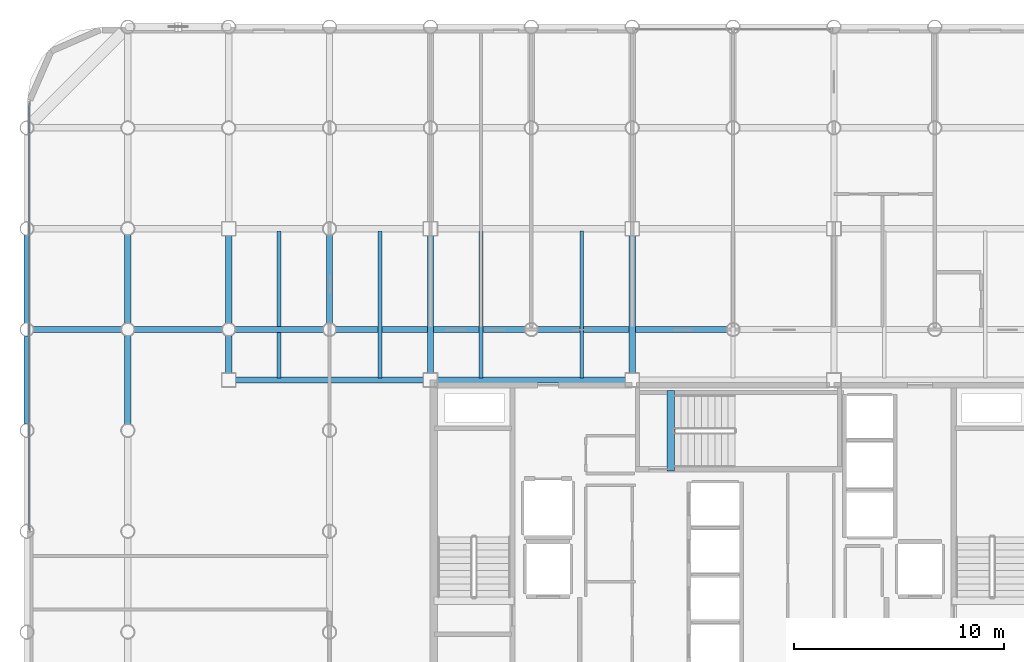
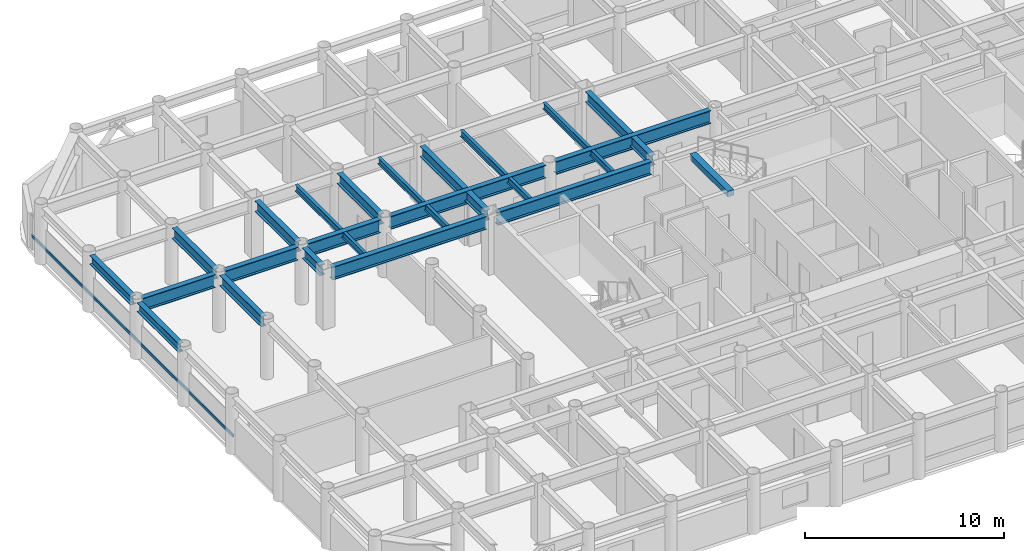
# One storey, part 5 of 20: 21 beams, 1 member, 1 element without a shape of its own.
"""IFC4 building model written with IfcOpenShell, lengths in metres."""

from ifc_helpers import new_model, si_unit, direction, frame, origin, origin_2d, place, context, subcontext, project, spatial, rectangle, hollow_rectangle, i_section, extrude, material, layer, layer_set, material_profile, profile_set, type_object, element, aggregate, save


model = new_model("IFC4")

# Units and contexts
model_context = context("Model", 3, precision=1e-05, world=origin(), true_north=direction((0.0, 1.0)))
body_context = subcontext(model_context, "Body", "Model", "MODEL_VIEW")
ifc_project = project(units=[si_unit("LENGTHUNIT", "METRE"), si_unit("AREAUNIT", "SQUARE_METRE"), si_unit("VOLUMEUNIT", "CUBIC_METRE"), si_unit("PLANEANGLEUNIT", "RADIAN"), si_unit("MASSUNIT", "GRAM", prefix="KILO")], contexts=[model_context])

# Site, building, storey
site_placement = place(None, origin())
site = spatial("IfcSite", under=ifc_project, at=site_placement, CompositionType="ELEMENT")
building_placement = place(site_placement, origin())
building = spatial("IfcBuilding", under=site, at=building_placement, Name="Kallvorn Hotel Tower", CompositionType="ELEMENT")
storey_placement = place(building_placement, frame((0.0, 0.0, 135.89990234375)))
storey = spatial("IfcBuildingStorey", under=building, at=storey_placement, Name="L33", CompositionType="ELEMENT", Elevation=135.89990234375)

# Beams
ifc_material_1 = material(Name="Structural steel S355JR", Category="steel")
ifc_material_profile_1 = material_profile(ifc_material_1, i_section(OverallWidth=0.300048828125, OverallDepth=0.550048828125, WebThickness=0.014892578125, FlangeThickness=0.029052734375, at=origin_2d()), Name="HE 550 B")
ifc_profile_set_1 = profile_set([ifc_material_profile_1], Name="Structural steel S355JR")
beam_type_1 = type_object("IfcBeamType", Name="BM_HE550B", PredefinedType="SPANDREL", material=ifc_profile_set_1)
beam_1_placement = place(storey_placement, frame((-33.60009765625, 5.1201171875, 3.2451171875), z_axis=(0.0, 1.0, 0.0), x_axis=(-1.0, 0.0, 0.0)))
element("IfcBeam", 1, at=beam_1_placement, inside=storey, type_object=beam_type_1, Name="L34 Perimeter Spandrel 178", PredefinedType="SPANDREL", context=body_context, shape_type="SweptSolid", body=[
    extrude(i_section(OverallWidth=0.300048828125, OverallDepth=0.550048828125, WebThickness=0.014892578125, FlangeThickness=0.029052734375, at=origin_2d()), origin(), (0.0, 0.0, 1.0), 4.159912109375),
])
beam_2_placement = place(storey_placement, frame((-33.60009765625, 9.919921875, 3.2451171875), z_axis=(0.0, 1.0, 0.0), x_axis=(-1.0, 0.0, 0.0)))
element("IfcBeam", 2, at=beam_2_placement, inside=storey, type_object=beam_type_1, Name="L34 Perimeter Spandrel 179", PredefinedType="SPANDREL", context=body_context, shape_type="SweptSolid", body=[
    extrude(i_section(OverallWidth=0.300048828125, OverallDepth=0.550048828125, WebThickness=0.014892578125, FlangeThickness=0.029052734375, at=origin_2d()), origin(), (0.0, 0.0, 1.0), 4.16015625),
])
ifc_material_2 = material(Name="Structural steel S355JR", Category="steel")
ifc_material_profile_2 = material_profile(ifc_material_2, i_section(OverallWidth=0.300048828125, OverallDepth=0.64990234375, WebThickness=0.01611328125, FlangeThickness=0.031005859375, at=origin_2d()), Name="HE 650 B")
ifc_profile_set_2 = profile_set([ifc_material_profile_2], Name="Structural steel S355JR")
beam_type_2 = type_object("IfcBeamType", Name="BM_HE650B", PredefinedType="BEAM", material=ifc_profile_set_2)
for number, where, z_axis, x_axis, name in (
    (3, (-28.800048828125, 5.10498046875, 3.195068359375), (0.0, 1.0, 0.0), (-1.0, 0.0, 0.0), "L34 Primary Y-Girder 78"),
    (4, (-28.800048828125, 9.905029296875, 3.195068359375), (0.0, 1.0, 0.0), (-1.0, 0.0, 0.0), "L34 Primary Y-Girder 79"),
):
    element("IfcBeam", number, at=place(storey_placement, frame(where, z_axis=z_axis, x_axis=x_axis)), inside=storey, type_object=beam_type_2, Name=name, PredefinedType="BEAM", context=body_context, shape_type="SweptSolid", body=[
        extrude(i_section(OverallWidth=0.300048828125, OverallDepth=0.64990234375, WebThickness=0.01611328125, FlangeThickness=0.031005859375, at=origin_2d()), origin(), (0.0, 0.0, 1.0), 4.18994140625),
    ])
beam_3_placement = place(storey_placement, frame((-24.0, 7.52490234375, 3.195068359375), z_axis=(0.0, 1.0, 0.0), x_axis=(-1.0, 0.0, 0.0)))
element("IfcBeam", 5, at=beam_3_placement, inside=storey, type_object=beam_type_2, Name="L34 Primary Y-Girder 85", PredefinedType="BEAM", context=body_context, shape_type="SweptSolid", body=[
    extrude(i_section(OverallWidth=0.300048828125, OverallDepth=0.64990234375, WebThickness=0.01611328125, FlangeThickness=0.031005859375, at=origin_2d()), origin(), (0.0, 0.0, 1.0), 1.77001953125),
])
beam_4_placement = place(storey_placement, frame((-24.0, 9.905029296875, 3.195068359375), z_axis=(0.0, 1.0, 0.0), x_axis=(-1.0, 0.0, 0.0)))
element("IfcBeam", 6, at=beam_4_placement, inside=storey, type_object=beam_type_2, Name="L34 Primary Y-Girder 86", PredefinedType="BEAM", context=body_context, shape_type="SweptSolid", body=[
    extrude(i_section(OverallWidth=0.300048828125, OverallDepth=0.64990234375, WebThickness=0.01611328125, FlangeThickness=0.031005859375, at=origin_2d()), origin(), (0.0, 0.0, 1.0), 4.169921875),
])
beam_5_placement = place(storey_placement, frame((-19.199951171875, 9.905029296875, 3.195068359375), z_axis=(0.0, 1.0, 0.0), x_axis=(-1.0, 0.0, 0.0)))
element("IfcBeam", 7, at=beam_5_placement, inside=storey, type_object=beam_type_2, Name="L34 Primary Y-Girder 95", PredefinedType="BEAM", context=body_context, shape_type="SweptSolid", body=[
    extrude(i_section(OverallWidth=0.300048828125, OverallDepth=0.64990234375, WebThickness=0.01611328125, FlangeThickness=0.031005859375, at=origin_2d()), origin(), (0.0, 0.0, 1.0), 4.18994140625),
])
for number, where, z_axis, x_axis, name in (
    (8, (-14.39990234375, 7.52490234375, 3.195068359375), (0.0, 1.0, 0.0), (-1.0, 0.0, 0.0), "L34 Primary Y-Girder 100"),
    (9, (-4.800048828125, 7.52490234375, 3.195068359375), (0.0, 1.0, 0.0), (-1.0, 0.0, 0.0), "L34 Primary Y-Girder 108"),
):
    element("IfcBeam", number, at=place(storey_placement, frame(where, z_axis=z_axis, x_axis=x_axis)), inside=storey, type_object=beam_type_2, Name=name, PredefinedType="BEAM", context=body_context, shape_type="SweptSolid", body=[
        extrude(i_section(OverallWidth=0.300048828125, OverallDepth=0.64990234375, WebThickness=0.01611328125, FlangeThickness=0.031005859375, at=origin_2d()), origin(), (0.0, 0.0, 1.0), 6.550048828125),
    ])
ifc_material_3 = material(Name="Structural steel S355JR", Category="steel")
ifc_material_profile_3 = material_profile(ifc_material_3, i_section(OverallWidth=0.300048828125, OverallDepth=0.800048828125, WebThickness=0.017578125, FlangeThickness=0.032958984375, at=origin_2d()), Name="HE 800 B")
ifc_profile_set_3 = profile_set([ifc_material_profile_3], Name="Structural steel S355JR")
beam_type_3 = type_object("IfcBeamType", Name="BM_HE800B", PredefinedType="BEAM", material=ifc_profile_set_3)
for number, where, z_axis, x_axis, name in (
    (10, (-23.675048828125, 7.199951171875, 3.1201171875), (1.0, 0.0, 0.0), (0.0, 1.0, 0.0), "L34 Primary X-Girder 36"),
    (11, (-14.074951171875, 7.199951171875, 3.1201171875), (1.0, 0.0, 0.0), (0.0, 1.0, 0.0), "L34 Primary X-Girder 37"),
):
    element("IfcBeam", number, at=place(storey_placement, frame(where, z_axis=z_axis, x_axis=x_axis)), inside=storey, type_object=beam_type_3, Name=name, PredefinedType="BEAM", context=body_context, shape_type="SweptSolid", body=[
        extrude(i_section(OverallWidth=0.300048828125, OverallDepth=0.800048828125, WebThickness=0.017578125, FlangeThickness=0.032958984375, at=origin_2d()), origin(), (0.0, 0.0, 1.0), 8.949951171875),
    ])
beam_6_placement = place(storey_placement, frame((-33.294921875, 9.60009765625, 3.1201171875), z_axis=(1.0, 0.0, 0.0), x_axis=(0.0, 1.0, 0.0)))
element("IfcBeam", 12, at=beam_6_placement, inside=storey, type_object=beam_type_3, Name="L34 Primary X-Girder 41", PredefinedType="BEAM", context=body_context, shape_type="SweptSolid", body=[
    extrude(i_section(OverallWidth=0.300048828125, OverallDepth=0.800048828125, WebThickness=0.017578125, FlangeThickness=0.032958984375, at=origin_2d()), origin(), (0.0, 0.0, 1.0), 4.18994140625),
])
for number, where, z_axis, x_axis, name in (
    (13, (-28.4951171875, 9.60009765625, 3.1201171875), (1.0, 0.0, 0.0), (0.0, 1.0, 0.0), "L34 Primary X-Girder 42"),
    (14, (-23.695068359375, 9.60009765625, 3.1201171875), (1.0, 0.0, 0.0), (0.0, 1.0, 0.0), "L34 Primary X-Girder 43"),
):
    element("IfcBeam", number, at=place(storey_placement, frame(where, z_axis=z_axis, x_axis=x_axis)), inside=storey, type_object=beam_type_3, Name=name, PredefinedType="BEAM", context=body_context, shape_type="SweptSolid", body=[
        extrude(i_section(OverallWidth=0.300048828125, OverallDepth=0.800048828125, WebThickness=0.017578125, FlangeThickness=0.032958984375, at=origin_2d()), origin(), (0.0, 0.0, 1.0), 4.190185546875),
    ])
for number, where, z_axis, x_axis, name in (
    (15, (-18.89501953125, 9.60009765625, 3.1201171875), (1.0, 0.0, 0.0), (0.0, 1.0, 0.0), "L34 Primary X-Girder 44"),
    (16, (-9.294921875, 9.60009765625, 3.1201171875), (1.0, 0.0, 0.0), (0.0, 1.0, 0.0), "L34 Primary X-Girder 45"),
):
    element("IfcBeam", number, at=place(storey_placement, frame(where, z_axis=z_axis, x_axis=x_axis)), inside=storey, type_object=beam_type_3, Name=name, PredefinedType="BEAM", context=body_context, shape_type="SweptSolid", body=[
        extrude(i_section(OverallWidth=0.300048828125, OverallDepth=0.800048828125, WebThickness=0.017578125, FlangeThickness=0.032958984375, at=origin_2d()), origin(), (0.0, 0.0, 1.0), 8.989990234375),
    ])
ifc_material_4 = material(Name="Structural steel S355JR", Category="steel")
ifc_material_profile_4 = material_profile(ifc_material_4, i_section(OverallWidth=0.179931640625, OverallDepth=0.39990234375, WebThickness=0.008544921875, FlangeThickness=0.013427734375, at=origin_2d()), Name="IPE 400")
ifc_profile_set_4 = profile_set([ifc_material_profile_4], Name="Structural steel S355JR")
beam_type_4 = type_object("IfcBeamType", Name="BM_IPE400", PredefinedType="JOIST", material=ifc_profile_set_4)
for number, where, z_axis, x_axis, name in (
    (17, (-21.60009765625, 7.300048828125, 3.320068359375), (0.0, 1.0, 0.0), (-1.0, 0.0, 0.0), "L34 Secondary Composite Joist 193"),
    (18, (-16.800048828125, 7.300048828125, 3.320068359375), (0.0, 1.0, 0.0), (-1.0, 0.0, 0.0), "L34 Secondary Composite Joist 195"),
    (19, (-12.0, 7.300048828125, 3.320068359375), (0.0, 1.0, 0.0), (-1.0, 0.0, 0.0), "L34 Secondary Composite Joist 197"),
    (20, (-7.199951171875, 7.300048828125, 3.320068359375), (0.0, 1.0, 0.0), (-1.0, 0.0, 0.0), "L34 Secondary Composite Joist 199"),
):
    element("IfcBeam", number, at=place(storey_placement, frame(where, z_axis=z_axis, x_axis=x_axis)), inside=storey, type_object=beam_type_4, Name=name, PredefinedType="JOIST", context=body_context, shape_type="SweptSolid", body=[
        extrude(i_section(OverallWidth=0.179931640625, OverallDepth=0.39990234375, WebThickness=0.008544921875, FlangeThickness=0.013427734375, at=origin_2d()), origin(), (0.0, 0.0, 1.0), 7.0),
    ])
ifc_material_5 = material(Name="Concrete C50/60", Category="concrete")
ifc_material_profile_5 = material_profile(ifc_material_5, rectangle(XDim=0.360107421875, YDim=0.340087890625, at=origin_2d()), Name="RC 360x340")
ifc_profile_set_5 = profile_set([ifc_material_profile_5], Name="Concrete C50/60")
beam_type_5 = type_object("IfcBeamType", Name="BM_RC_400x360", PredefinedType="BEAM", material=ifc_profile_set_5)
beam_7_placement = place(storey_placement, frame((-2.9599609375, 2.8701171875, 3.35009765625), z_axis=(0.0, 1.0, 0.0), x_axis=(-1.0, 0.0, 0.0)))
element("IfcBeam", 21, at=beam_7_placement, inside=storey, type_object=beam_type_5, Name="L34 Stair ST3 Arrival Trimmer Beam", PredefinedType="BEAM", context=body_context, shape_type="SweptSolid", body=[
    extrude(rectangle(XDim=0.360107421875, YDim=0.340087890625, at=origin_2d()), origin(), (0.0, 0.0, 1.0), 3.81982421875),
])

# Curtain wall, member
ifc_material_6 = material(Name="Thermally broken black-anodised aluminium AA 6063-T6", Category="aluminium")
ifc_layer = layer(ifc_material_6, 0.2099609375)
ifc_layer_set = layer_set([ifc_layer], Name="CW_SYS_4_HOTEL_MID")
curtain_wall_type = type_object("IfcCurtainWallType", Name="CW_SYS_4_HOTEL_MID", PredefinedType="USERDEFINED", material=ifc_layer_set)
curtain_wall_placement = place(storey_placement, origin())
curtain_wall = element("IfcCurtainWall", 22, at=curtain_wall_placement, inside=storey, type_object=curtain_wall_type, Name="L33 Dark-Glass Curtain Wall CW-L33-WN", ObjectType="UNITISED CURTAIN WALL", PredefinedType="USERDEFINED")
ifc_material_7 = material(Name="Thermally broken black-anodised aluminium AA 6063-T6", Category="aluminium")
ifc_material_profile_6 = material_profile(ifc_material_7, hollow_rectangle(XDim=0.070068359375, YDim=0.179931640625, WallThickness=0.00390625, at=origin_2d()), Name="TRN 180x70")
ifc_profile_set_6 = profile_set([ifc_material_profile_6], Name="Thermally broken black-anodised aluminium AA 6063-T6")
member_type = type_object("IfcMemberType", Name="CW_TRANSOM_180x70", PredefinedType="USERDEFINED", material=ifc_profile_set_6)
member_placement = place(storey_placement, frame((-33.47998046875, 0.06005859375, 0.85009765625), z_axis=(0.0, 1.0, 0.0), x_axis=(-1.0, 0.0, 0.0)))
member = element("IfcMember", 23, at=member_placement, type_object=member_type, Name="CW-L33-WN Transom 00M", ObjectType="TRANSOM", PredefinedType="USERDEFINED", context=body_context, shape_type="SweptSolid", body=[
    extrude(hollow_rectangle(XDim=0.070068359375, YDim=0.179931640625, WallThickness=0.00390625, at=origin_2d()), origin(), (0.0, 0.0, 1.0), 20.300048828125),
])
aggregate(curtain_wall, [member])

save(model, "model.ifc")
